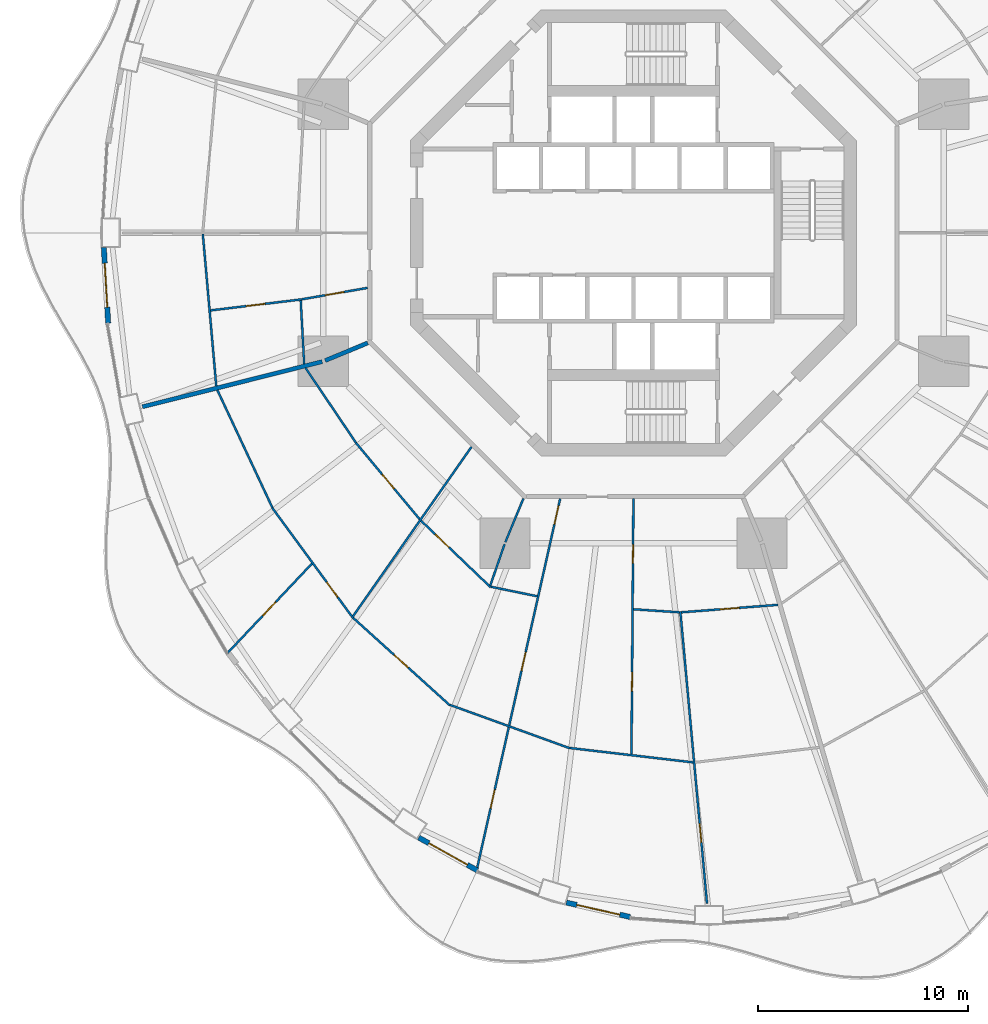
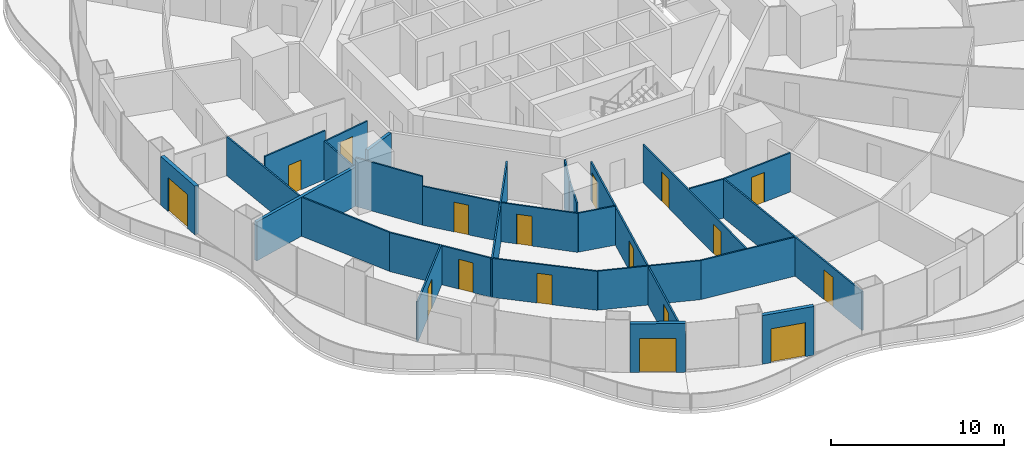
# One storey, part 14 of 23: 27 walls, 17 doors, 17 openings.
"""IFC4 building model written with IfcOpenShell, lengths in metres."""

from ifc_helpers import new_model, si_unit, direction, frame, frame_2d, origin, place, context, subcontext, project, spatial, rectangle, extrude, material, layer, layer_set, type_object, element, fill, save


model = new_model("IFC4")

# Units and contexts
model_context = context("Model", 3, precision=1e-05, world=origin(), true_north=direction((0.0, 1.0)))
body_context = subcontext(model_context, "Body", "Model", "MODEL_VIEW")
ifc_project = project(units=[si_unit("LENGTHUNIT", "METRE"), si_unit("AREAUNIT", "SQUARE_METRE"), si_unit("VOLUMEUNIT", "CUBIC_METRE"), si_unit("PLANEANGLEUNIT", "RADIAN"), si_unit("MASSUNIT", "GRAM", prefix="KILO")], contexts=[model_context])

# Site, building, storey
site_placement = place(None, origin())
site = spatial("IfcSite", under=ifc_project, at=site_placement, CompositionType="ELEMENT")
building_placement = place(site_placement, origin())
building = spatial("IfcBuilding", under=site, at=building_placement, Name="Nagisa Residences", CompositionType="ELEMENT")
storey_placement = place(building_placement, frame((0.0, 0.0, 56.60009765625)))
storey = spatial("IfcBuildingStorey", under=building, at=storey_placement, Name="L13", CompositionType="ELEMENT", Elevation=56.60009765625)

# Walls
ifc_material_1 = material(Name="Gypsum board on steel studs", Category="steel")
ifc_layer_1 = layer(ifc_material_1, 0.199951171875)
ifc_layer_set_1 = layer_set([ifc_layer_1], Name="Apartment compartment wall EI60 200")
wall_type_1 = type_object("IfcWallType", Name="Apartment compartment wall EI60 200", PredefinedType="PARTITIONING", material=ifc_layer_set_1)
wall_1_placement = place(storey_placement, frame((-12.6572265625, -5.24267578125, 0.0), z_axis=(0.0, 0.0, 1.0), x_axis=(-0.923885664896, -0.382668627144, 0.0)))
element("IfcWall", 1, at=wall_1_placement, inside=storey, type_object=wall_type_1, Name="wall:L13:u06", PredefinedType="PARTITIONING", context=body_context, shape_type="SweptSolid", body=[
    extrude(rectangle(XDim=2.200439453125, YDim=0.199951171875, at=frame_2d((1.10009765625, 0.0))), origin(), (0.0, 0.0, 1.0), 3.43994140625),
])
wall_2_placement = place(storey_placement, frame((-14.83056640625, -6.135009765625, 0.0), z_axis=(0.0, 0.0, 1.0), x_axis=(-0.969884949569, -0.243563512454, 0.0)))
element("IfcWall", 2, at=wall_2_placement, inside=storey, type_object=wall_type_1, Name="wall:L13:u07", PredefinedType="PARTITIONING", context=body_context, shape_type="SweptSolid", body=[
    extrude(rectangle(XDim=8.828857421875, YDim=0.199951171875, at=frame_2d((4.41455078125, 0.0))), origin(), (0.0, 0.0, 1.0), 2.755859375),
])
ifc_material_2 = material(Name="Gypsum board on steel studs", Category="steel")
ifc_layer_2 = layer(ifc_material_2, 0.10009765625)
ifc_layer_set_2 = layer_set([ifc_layer_2], Name="Apartment partition 100")
wall_type_2 = type_object("IfcWallType", Name="Apartment partition 100", PredefinedType="PARTITIONING", material=ifc_layer_set_2)
wall_3_placement = place(storey_placement, frame((-20.518310546875, -0.0498046875, 0.0), z_axis=(0.0, 0.0, 1.0), x_axis=(0.088143415068, -0.996107794558, 0.0)))
element("IfcWall", 3, at=wall_3_placement, inside=storey, type_object=wall_type_2, Name="wall:L13:u56", PredefinedType="PARTITIONING", context=body_context, shape_type="SweptSolid", body=[
    extrude(rectangle(XDim=7.279052734375, YDim=0.10009765625, at=frame_2d((3.6396484375, 0.0))), origin(), (0.0, 0.0, 1.0), 2.755859375),
])

# Wall, opening, door
wall_4_placement = place(storey_placement, frame((-12.663330078125, -2.619384765625, 0.0), z_axis=(0.0, 0.0, 1.0), x_axis=(-0.985220176102, -0.171292745325, 0.0)))
wall_4 = element("IfcWall", 4, at=wall_4_placement, inside=storey, type_object=wall_type_2, Name="wall:L13:u57", PredefinedType="PARTITIONING", context=body_context, shape_type="SweptSolid", body=[
    extrude(rectangle(XDim=3.191162109375, YDim=0.10009765625, at=frame_2d((1.595703125, 0.0))), origin(), (0.0, 0.0, 1.0), 2.68701171875),
])
opening_1_placement = place(wall_4_placement, frame((1.1455078125, 0.0, 0.0)))
opening_1 = element("IfcOpeningElement", 5, at=opening_1_placement, cuts=wall_4, Name="Opening L13-U10", PredefinedType="OPENING", context=body_context, shape_type="SweptSolid", body=[
    extrude(rectangle(XDim=0.89990234375, YDim=2.10009765625, at=frame_2d((0.449951171875, 1.050048828125))), frame((0.0, 0.06005859375, 0.0), z_axis=(0.0, -1.0, 0.0), x_axis=(1.0, 0.0, 0.0)), (0.0, 0.0, 1.0), 0.1201171875),
])
ifc_material_3 = material(Name="Timber door set", Category="wood")
door_type_1 = type_object("IfcDoorType", Name="Apartment door 900x2100", OperationType="NOTDEFINED", PredefinedType="DOOR", material=ifc_material_3)
door_1_placement = place(opening_1_placement, origin())
door_1 = element("IfcDoor", 6, at=door_1_placement, inside=storey, type_object=door_type_1, Name="Door to family bathroom, Apartment 13B", OperationType="SINGLE_SWING_RIGHT", OverallHeight=2.10009765625, OverallWidth=0.89990234375, PredefinedType="DOOR", context=body_context, shape_type="SweptSolid", body=[
    extrude(rectangle(XDim=0.89990234375, YDim=2.10009765625, at=frame_2d((0.449951171875, 1.050048828125))), frame((0.0, 0.02490234375, 0.0), z_axis=(0.0, -1.0, 0.0), x_axis=(1.0, 0.0, 0.0)), (0.0, 0.0, 1.0), 0.050048828125),
])
fill(opening_1, door_1)

wall_5_placement = place(storey_placement, frame((-15.806884765625, -3.16845703125, 0.0), z_axis=(0.0, 0.0, 1.0), x_axis=(-0.992741666002, -0.120266306938, 0.0)))
wall_5 = element("IfcWall", 7, at=wall_5_placement, inside=storey, type_object=wall_type_2, Name="wall:L13:u58", PredefinedType="PARTITIONING", context=body_context, shape_type="SweptSolid", body=[
    extrude(rectangle(XDim=4.37060546875, YDim=0.10009765625, at=frame_2d((2.185302734375, 0.0))), origin(), (0.0, 0.0, 1.0), 3.43994140625),
])
opening_2_placement = place(wall_5_placement, frame((1.76025390625, 0.0, 0.0)))
opening_2 = element("IfcOpeningElement", 8, at=opening_2_placement, cuts=wall_5, Name="Opening L13-U12", PredefinedType="OPENING", context=body_context, shape_type="SweptSolid", body=[
    extrude(rectangle(XDim=0.89990234375, YDim=2.10009765625, at=frame_2d((0.449951171875, 1.050048828125))), frame((0.0, 0.06005859375, 0.0), z_axis=(0.0, -1.0, 0.0), x_axis=(1.0, 0.0, 0.0)), (0.0, 0.0, 1.0), 0.1201171875),
])
door_2_placement = place(opening_2_placement, origin())
door_2 = element("IfcDoor", 9, at=door_2_placement, inside=storey, type_object=door_type_1, Name="Door to family bathroom, Apartment 13B", OperationType="SINGLE_SWING_RIGHT", OverallHeight=2.10009765625, OverallWidth=0.89990234375, PredefinedType="DOOR", context=body_context, shape_type="SweptSolid", body=[
    extrude(rectangle(XDim=0.89990234375, YDim=2.10009765625, at=frame_2d((0.449951171875, 1.050048828125))), frame((0.0, 0.02490234375, 0.0), z_axis=(0.0, -1.0, 0.0), x_axis=(1.0, 0.0, 0.0)), (0.0, 0.0, 1.0), 0.050048828125),
])
fill(opening_2, door_2)

# Walls
wall_6_placement = place(storey_placement, frame((-15.853759765625, -3.224609375, 0.0), z_axis=(0.0, 0.0, 1.0), x_axis=(0.054644199943, -0.998505889523, 0.0)))
element("IfcWall", 10, at=wall_6_placement, inside=storey, type_object=wall_type_2, Name="wall:L13:u59", PredefinedType="PARTITIONING", context=body_context, shape_type="SweptSolid", body=[
    extrude(rectangle(XDim=3.029296875, YDim=0.10009765625, at=frame_2d((1.5146484375, 0.0))), origin(), (0.0, 0.0, 1.0), 2.755859375),
])
wall_7_placement = place(storey_placement, frame((-15.626953125, -6.43212890625, 0.0), z_axis=(0.0, 0.0, 1.0), x_axis=(0.559112679527, -0.829091678641, 0.0)))
element("IfcWall", 11, at=wall_7_placement, inside=storey, type_object=wall_type_2, Name="wall:L13:u60", PredefinedType="PARTITIONING", context=body_context, shape_type="SweptSolid", body=[
    extrude(rectangle(XDim=4.30810546875, YDim=0.10009765625, at=frame_2d((2.154052734375, 0.0))), origin(), (0.0, 0.0, 1.0), 3.43994140625),
])
wall_8_placement = place(storey_placement, frame((-19.82568359375, -7.49072265625, 0.0), z_axis=(0.0, 0.0, 1.0), x_axis=(0.423926333401, -0.905696673202, 0.0)))
element("IfcWall", 12, at=wall_8_placement, inside=storey, type_object=wall_type_2, Name="wall:L13:u61", PredefinedType="PARTITIONING", context=body_context, shape_type="SweptSolid", body=[
    extrude(rectangle(XDim=6.1875, YDim=0.10009765625, at=frame_2d((3.09375, 0.0))), origin(), (0.0, 0.0, 1.0), 2.755859375),
])

# Wall, opening, door
wall_9_placement = place(storey_placement, frame((-13.222412109375, -10.0068359375, 0.0), z_axis=(0.0, 0.0, 1.0), x_axis=(0.640807748916, -0.767701393075, 0.0)))
wall_9 = element("IfcWall", 13, at=wall_9_placement, inside=storey, type_object=wall_type_2, Name="wall:L13:u62", PredefinedType="PARTITIONING", context=body_context, shape_type="SweptSolid", body=[
    extrude(rectangle(XDim=4.73681640625, YDim=0.10009765625, at=frame_2d((2.368408203125, 0.0))), origin(), (0.0, 0.0, 1.0), 2.755859375),
])
opening_3_placement = place(wall_9_placement, frame((1.943359375, 0.0, 0.0)))
opening_3 = element("IfcOpeningElement", 14, at=opening_3_placement, cuts=wall_9, Name="Opening L13-U27", PredefinedType="OPENING", context=body_context, shape_type="SweptSolid", body=[
    extrude(rectangle(XDim=0.89990234375, YDim=2.10009765625, at=frame_2d((0.449951171875, 1.050048828125))), frame((0.0, 0.06005859375, 0.0), z_axis=(0.0, -1.0, 0.0), x_axis=(1.0, 0.0, 0.0)), (0.0, 0.0, 1.0), 0.1201171875),
])
door_3_placement = place(opening_3_placement, origin())
door_3 = element("IfcDoor", 15, at=door_3_placement, inside=storey, type_object=door_type_1, Name="Door to laundry, Apartment 13C", OperationType="SINGLE_SWING_LEFT", OverallHeight=2.10009765625, OverallWidth=0.89990234375, PredefinedType="DOOR", context=body_context, shape_type="SweptSolid", body=[
    extrude(rectangle(XDim=0.89990234375, YDim=2.10009765625, at=frame_2d((0.449951171875, 1.050048828125))), frame((0.0, 0.02490234375, 0.0), z_axis=(0.0, -1.0, 0.0), x_axis=(1.0, 0.0, 0.0)), (0.0, 0.0, 1.0), 0.050048828125),
])
fill(opening_3, door_3)

wall_10_placement = place(storey_placement, frame((-17.2109375, -13.099609375, 0.0), z_axis=(0.0, 0.0, 1.0), x_axis=(0.591206785834, -0.806520016109, 0.0)))
wall_10 = element("IfcWall", 16, at=wall_10_placement, inside=storey, type_object=wall_type_2, Name="wall:L13:u63", PredefinedType="PARTITIONING", context=body_context, shape_type="SweptSolid", body=[
    extrude(rectangle(XDim=6.409912109375, YDim=0.10009765625, at=frame_2d((3.205078125, 0.0))), origin(), (0.0, 0.0, 1.0), 2.755859375),
])
opening_4_placement = place(wall_10_placement, frame((4.382568359375, 0.0, 0.0)))
opening_4 = element("IfcOpeningElement", 17, at=opening_4_placement, cuts=wall_10, Name="Opening L13-U25", PredefinedType="OPENING", context=body_context, shape_type="SweptSolid", body=[
    extrude(rectangle(XDim=0.89990234375, YDim=2.10009765625, at=frame_2d((0.449951171875, 1.050048828125))), frame((0.0, 0.06005859375, 0.0), z_axis=(0.0, -1.0, 0.0), x_axis=(1.0, 0.0, 0.0)), (0.0, 0.0, 1.0), 0.1201171875),
])
door_4_placement = place(opening_4_placement, origin())
door_4 = element("IfcDoor", 18, at=door_4_placement, inside=storey, type_object=door_type_1, Name="Door to dining room, Apartment 13C", OperationType="SINGLE_SWING_LEFT", OverallHeight=2.10009765625, OverallWidth=0.89990234375, PredefinedType="DOOR", context=body_context, shape_type="SweptSolid", body=[
    extrude(rectangle(XDim=0.89990234375, YDim=2.10009765625, at=frame_2d((0.449951171875, 1.050048828125))), frame((0.0, 0.02490234375, 0.0), z_axis=(0.0, -1.0, 0.0), x_axis=(1.0, 0.0, 0.0)), (0.0, 0.0, 1.0), 0.050048828125),
])
fill(opening_4, door_4)

wall_11_placement = place(storey_placement, frame((-15.321044921875, -15.76123046875, 0.0), z_axis=(0.0, 0.0, 1.0), x_axis=(-0.686519245775, -0.727111631856, 0.0)))
wall_11 = element("IfcWall", 19, at=wall_11_placement, inside=storey, type_object=wall_type_2, Name="wall:L13:u64", PredefinedType="PARTITIONING", context=body_context, shape_type="SweptSolid", body=[
    extrude(rectangle(XDim=5.912109375, YDim=0.10009765625, at=frame_2d((2.9560546875, 0.0))), origin(), (0.0, 0.0, 1.0), 2.8369140625),
])
opening_5_placement = place(wall_11_placement, frame((2.506103515625, 0.0, 0.0)))
opening_5 = element("IfcOpeningElement", 20, at=opening_5_placement, cuts=wall_11, Name="Opening L13-U26", PredefinedType="OPENING", context=body_context, shape_type="SweptSolid", body=[
    extrude(rectangle(XDim=0.89990234375, YDim=2.10009765625, at=frame_2d((0.449951171875, 1.050048828125))), frame((0.0, 0.06005859375, 0.0), z_axis=(0.0, -1.0, 0.0), x_axis=(1.0, 0.0, 0.0)), (0.0, 0.0, 1.0), 0.1201171875),
])
door_5_placement = place(opening_5_placement, frame((0.89990234375, 0.0, 0.0), x_axis=(-1.0, 0.0, 0.0)))
door_5 = element("IfcDoor", 21, at=door_5_placement, inside=storey, type_object=door_type_1, Name="Door to master bedroom, Apartment 13C", OperationType="SINGLE_SWING_LEFT", OverallHeight=2.10009765625, OverallWidth=0.89990234375, PredefinedType="DOOR", context=body_context, shape_type="SweptSolid", body=[
    extrude(rectangle(XDim=0.89990234375, YDim=2.10009765625, at=frame_2d((0.449951171875, 1.050048828125))), frame((0.0, 0.02490234375, 0.0), z_axis=(0.0, -1.0, 0.0), x_axis=(1.0, 0.0, 0.0)), (0.0, 0.0, 1.0), 0.050048828125),
])
fill(opening_5, door_5)

# Wall
wall_12_placement = place(storey_placement, frame((-7.71533203125, -10.193359375, 0.0), z_axis=(0.0, 0.0, 1.0), x_axis=(-0.573126502256, -0.819466907454, 0.0)))
element("IfcWall", 22, at=wall_12_placement, inside=storey, type_object=wall_type_2, Name="wall:L13:u65", PredefinedType="PARTITIONING", context=body_context, shape_type="SweptSolid", body=[
    extrude(rectangle(XDim=9.954345703125, YDim=0.10009765625, at=frame_2d((4.97705078125, 0.0))), origin(), (0.0, 0.0, 1.0), 2.68701171875),
])

# Wall, opening, door
wall_13_placement = place(storey_placement, frame((-10.118896484375, -13.716064453125, 0.0), z_axis=(0.0, 0.0, 1.0), x_axis=(0.722763212502, -0.69109575216, 0.0)))
wall_13 = element("IfcWall", 23, at=wall_13_placement, inside=storey, type_object=wall_type_2, Name="wall:L13:u66", PredefinedType="PARTITIONING", context=body_context, shape_type="SweptSolid", body=[
    extrude(rectangle(XDim=4.587158203125, YDim=0.10009765625, at=frame_2d((2.29345703125, 0.0))), origin(), (0.0, 0.0, 1.0), 2.755859375),
])
opening_6_placement = place(wall_13_placement, frame((0.9375, 0.0, 0.0)))
opening_6 = element("IfcOpeningElement", 24, at=opening_6_placement, cuts=wall_13, Name="Opening L13-U24", PredefinedType="OPENING", context=body_context, shape_type="SweptSolid", body=[
    extrude(rectangle(XDim=0.89990234375, YDim=2.10009765625, at=frame_2d((0.449951171875, 1.050048828125))), frame((0.0, 0.06005859375, 0.0), z_axis=(0.0, -1.0, 0.0), x_axis=(1.0, 0.0, 0.0)), (0.0, 0.0, 1.0), 0.1201171875),
])
door_6_placement = place(opening_6_placement, origin())
door_6 = element("IfcDoor", 25, at=door_6_placement, inside=storey, type_object=door_type_1, Name="Door to store, Apartment 13C", OperationType="SINGLE_SWING_RIGHT", OverallHeight=2.10009765625, OverallWidth=0.89990234375, PredefinedType="DOOR", context=body_context, shape_type="SweptSolid", body=[
    extrude(rectangle(XDim=0.89990234375, YDim=2.10009765625, at=frame_2d((0.449951171875, 1.050048828125))), frame((0.0, 0.02490234375, 0.0), z_axis=(0.0, -1.0, 0.0), x_axis=(1.0, 0.0, 0.0)), (0.0, 0.0, 1.0), 0.050048828125),
])
fill(opening_6, door_6)

wall_14_placement = place(storey_placement, frame((-13.354736328125, -18.34326171875, 0.0), z_axis=(0.0, 0.0, 1.0), x_axis=(0.741720189244, -0.670709445936, 0.0)))
wall_14 = element("IfcWall", 26, at=wall_14_placement, inside=storey, type_object=wall_type_2, Name="wall:L13:u67", PredefinedType="PARTITIONING", context=body_context, shape_type="SweptSolid", body=[
    extrude(rectangle(XDim=6.209228515625, YDim=0.10009765625, at=frame_2d((3.1044921875, 0.0))), origin(), (0.0, 0.0, 1.0), 2.755859375),
])
opening_7_placement = place(wall_14_placement, frame((2.629638671875, 0.0, 0.0)))
opening_7 = element("IfcOpeningElement", 27, at=opening_7_placement, cuts=wall_14, Name="Opening L13-U21", PredefinedType="OPENING", context=body_context, shape_type="SweptSolid", body=[
    extrude(rectangle(XDim=0.89990234375, YDim=2.10009765625, at=frame_2d((0.449951171875, 1.050048828125))), frame((0.0, 0.06005859375, 0.0), z_axis=(0.0, -1.0, 0.0), x_axis=(1.0, 0.0, 0.0)), (0.0, 0.0, 1.0), 0.1201171875),
])
door_7_placement = place(opening_7_placement, frame((0.89990234375, 0.0, 0.0), x_axis=(-1.0, 0.0, 0.0)))
door_7 = element("IfcDoor", 28, at=door_7_placement, inside=storey, type_object=door_type_1, Name="Door to living room, Apartment 13C", OperationType="SINGLE_SWING_RIGHT", OverallHeight=2.10009765625, OverallWidth=0.89990234375, PredefinedType="DOOR", context=body_context, shape_type="SweptSolid", body=[
    extrude(rectangle(XDim=0.89990234375, YDim=2.10009765625, at=frame_2d((0.449951171875, 1.050048828125))), frame((0.0, 0.02490234375, 0.0), z_axis=(0.0, -1.0, 0.0), x_axis=(1.0, 0.0, 0.0)), (0.0, 0.0, 1.0), 0.050048828125),
])
fill(opening_7, door_7)

# Walls
wall_15_placement = place(storey_placement, frame((-5.24267578125, -12.6572265625, 0.0), z_axis=(0.0, 0.0, 1.0), x_axis=(-0.382719158442, -0.923864733477, 0.0)))
element("IfcWall", 29, at=wall_15_placement, inside=storey, type_object=wall_type_2, Name="wall:L13:u68", PredefinedType="PARTITIONING", context=body_context, shape_type="SweptSolid", body=[
    extrude(rectangle(XDim=2.25, YDim=0.10009765625, at=frame_2d((1.125, 0.0))), origin(), (0.0, 0.0, 1.0), 3.43994140625),
])
wall_16_placement = place(storey_placement, frame((-6.139404296875, -14.829833984375, 0.0), z_axis=(0.0, 0.0, 1.0), x_axis=(-0.327246993321, -0.944938836837, 0.0)))
element("IfcWall", 30, at=wall_16_placement, inside=storey, type_object=wall_type_2, Name="wall:L13:u69", PredefinedType="PARTITIONING", context=body_context, shape_type="SweptSolid", body=[
    extrude(rectangle(XDim=2.089599609375, YDim=0.10009765625, at=frame_2d((1.044921875, 0.0))), origin(), (0.0, 0.0, 1.0), 3.43994140625),
])
wall_17_placement = place(storey_placement, frame((-6.79052734375, -16.861572265625, 0.0), z_axis=(0.0, 0.0, 1.0), x_axis=(0.979581941859, -0.201045316246, 0.0)))
element("IfcWall", 31, at=wall_17_placement, inside=storey, type_object=wall_type_2, Name="wall:L13:u70", PredefinedType="PARTITIONING", context=body_context, shape_type="SweptSolid", body=[
    extrude(rectangle(XDim=2.25634765625, YDim=0.10009765625, at=frame_2d((1.128173828125, 0.0))), origin(), (0.0, 0.0, 1.0), 2.755859375),
])
wall_18_placement = place(storey_placement, frame((-8.7392578125, -22.4912109375, 0.0), z_axis=(0.0, 0.0, 1.0), x_axis=(0.940401691072, -0.340065669288, 0.0)))
element("IfcWall", 32, at=wall_18_placement, inside=storey, type_object=wall_type_2, Name="wall:L13:u71", PredefinedType="PARTITIONING", context=body_context, shape_type="SweptSolid", body=[
    extrude(rectangle(XDim=6.067138671875, YDim=0.10009765625, at=frame_2d((3.03369140625, 0.0))), origin(), (0.0, 0.0, 1.0), 2.755859375),
])

# Wall, openings, doors
wall_19_placement = place(storey_placement, frame((-3.49169921875, -12.662353515625, 0.0), z_axis=(0.0, 0.0, 1.0), x_axis=(-0.219268088006, -0.975664648115, 0.0)))
wall_19 = element("IfcWall", 33, at=wall_19_placement, inside=storey, type_object=wall_type_2, Name="wall:L13:u72", PredefinedType="PARTITIONING", context=body_context, shape_type="SweptSolid", body=[
    extrude(rectangle(XDim=18.230224609375, YDim=0.10009765625, at=frame_2d((9.115234375, 0.0))), origin(), (0.0, 0.0, 1.0), 2.68701171875),
])
opening_8_placement = place(wall_19_placement, frame((0.35009765625, 0.0, 0.0)))
opening_8 = element("IfcOpeningElement", 34, at=opening_8_placement, cuts=wall_19, Name="Opening L13-U16", PredefinedType="OPENING", context=body_context, shape_type="SweptSolid", body=[
    extrude(rectangle(XDim=0.89990234375, YDim=2.10009765625, at=frame_2d((0.449951171875, 1.050048828125))), frame((0.0, 0.06005859375, 0.0), z_axis=(0.0, -1.0, 0.0), x_axis=(1.0, 0.0, 0.0)), (0.0, 0.0, 1.0), 0.1201171875),
])
opening_9_placement = place(wall_19_placement, frame((7.49658203125, 0.0, 0.0)))
opening_9 = element("IfcOpeningElement", 35, at=opening_9_placement, cuts=wall_19, Name="Opening L13-U18", PredefinedType="OPENING", context=body_context, shape_type="SweptSolid", body=[
    extrude(rectangle(XDim=0.89990234375, YDim=2.10009765625, at=frame_2d((0.449951171875, 1.050048828125))), frame((0.0, 0.06005859375, 0.0), z_axis=(0.0, -1.0, 0.0), x_axis=(1.0, 0.0, 0.0)), (0.0, 0.0, 1.0), 0.1201171875),
])
opening_10_placement = place(wall_19_placement, frame((14.22265625, 0.0, 0.0)))
opening_10 = element("IfcOpeningElement", 36, at=opening_10_placement, cuts=wall_19, Name="Opening L13-U22", PredefinedType="OPENING", context=body_context, shape_type="SweptSolid", body=[
    extrude(rectangle(XDim=0.89990234375, YDim=2.10009765625, at=frame_2d((0.449951171875, 1.050048828125))), frame((0.0, 0.06005859375, 0.0), z_axis=(0.0, -1.0, 0.0), x_axis=(1.0, 0.0, 0.0)), (0.0, 0.0, 1.0), 0.1201171875),
])
door_8_placement = place(opening_8_placement, frame((0.89990234375, 0.0, 0.0), x_axis=(-1.0, 0.0, 0.0)))
door_8 = element("IfcDoor", 37, at=door_8_placement, inside=storey, type_object=door_type_1, Name="Door to family bathroom, Apartment 13C", OperationType="SINGLE_SWING_LEFT", OverallHeight=2.10009765625, OverallWidth=0.89990234375, PredefinedType="DOOR", context=body_context, shape_type="SweptSolid", body=[
    extrude(rectangle(XDim=0.89990234375, YDim=2.10009765625, at=frame_2d((0.449951171875, 1.050048828125))), frame((0.0, 0.02490234375, 0.0), z_axis=(0.0, -1.0, 0.0), x_axis=(1.0, 0.0, 0.0)), (0.0, 0.0, 1.0), 0.050048828125),
])
fill(opening_8, door_8)
door_9_placement = place(opening_9_placement, frame((0.89990234375, 0.0, 0.0), x_axis=(-1.0, 0.0, 0.0)))
door_9 = element("IfcDoor", 38, at=door_9_placement, inside=storey, type_object=door_type_1, Name="Door to family room, Apartment 13C", OperationType="SINGLE_SWING_LEFT", OverallHeight=2.10009765625, OverallWidth=0.89990234375, PredefinedType="DOOR", context=body_context, shape_type="SweptSolid", body=[
    extrude(rectangle(XDim=0.89990234375, YDim=2.10009765625, at=frame_2d((0.449951171875, 1.050048828125))), frame((0.0, 0.02490234375, 0.0), z_axis=(0.0, -1.0, 0.0), x_axis=(1.0, 0.0, 0.0)), (0.0, 0.0, 1.0), 0.050048828125),
])
fill(opening_9, door_9)
door_10_placement = place(opening_10_placement, origin())
door_10 = element("IfcDoor", 39, at=door_10_placement, inside=storey, type_object=door_type_1, Name="Door to dining room, Apartment 13C", OperationType="SINGLE_SWING_RIGHT", OverallHeight=2.10009765625, OverallWidth=0.89990234375, PredefinedType="DOOR", context=body_context, shape_type="SweptSolid", body=[
    extrude(rectangle(XDim=0.89990234375, YDim=2.10009765625, at=frame_2d((0.449951171875, 1.050048828125))), frame((0.0, 0.02490234375, 0.0), z_axis=(0.0, -1.0, 0.0), x_axis=(1.0, 0.0, 0.0)), (0.0, 0.0, 1.0), 0.050048828125),
])
fill(opening_10, door_10)

# Wall
wall_20_placement = place(storey_placement, frame((-3.03125, -24.543212890625, 0.0), z_axis=(0.0, 0.0, 1.0), x_axis=(0.993255612046, -0.115945198862, 0.0)))
element("IfcWall", 40, at=wall_20_placement, inside=storey, type_object=wall_type_2, Name="wall:L13:u73", PredefinedType="PARTITIONING", context=body_context, shape_type="SweptSolid", body=[
    extrude(rectangle(XDim=5.91259765625, YDim=0.10009765625, at=frame_2d((2.956298828125, 0.0))), origin(), (0.0, 0.0, 1.0), 2.755859375),
])

# Wall, openings, doors
wall_21_placement = place(storey_placement, frame((-0.000732421875, -12.664794921875, 0.0), z_axis=(0.0, 0.0, 1.0), x_axis=(-0.007702417287, -0.999970335944, 0.0)))
wall_21 = element("IfcWall", 41, at=wall_21_placement, inside=storey, type_object=wall_type_2, Name="wall:L13:u74", PredefinedType="PARTITIONING", context=body_context, shape_type="SweptSolid", body=[
    extrude(rectangle(XDim=12.17138671875, YDim=0.10009765625, at=frame_2d((6.085693359375, 0.0))), origin(), (0.0, 0.0, 1.0), 2.68701171875),
])
opening_11_placement = place(wall_21_placement, frame((2.182861328125, 0.0, 0.0)))
opening_11 = element("IfcOpeningElement", 42, at=opening_11_placement, cuts=wall_21, Name="Opening L13-U17", PredefinedType="OPENING", context=body_context, shape_type="SweptSolid", body=[
    extrude(rectangle(XDim=0.89990234375, YDim=2.10009765625, at=frame_2d((0.449951171875, 1.050048828125))), frame((0.0, 0.06005859375, 0.0), z_axis=(0.0, -1.0, 0.0), x_axis=(1.0, 0.0, 0.0)), (0.0, 0.0, 1.0), 0.1201171875),
])
opening_12_placement = place(wall_21_placement, frame((8.268798828125, 0.0, 0.0)))
opening_12 = element("IfcOpeningElement", 43, at=opening_12_placement, cuts=wall_21, Name="Opening L13-U19", PredefinedType="OPENING", context=body_context, shape_type="SweptSolid", body=[
    extrude(rectangle(XDim=0.89990234375, YDim=2.10009765625, at=frame_2d((0.449951171875, 1.050048828125))), frame((0.0, 0.06005859375, 0.0), z_axis=(0.0, -1.0, 0.0), x_axis=(1.0, 0.0, 0.0)), (0.0, 0.0, 1.0), 0.1201171875),
])
door_11_placement = place(opening_11_placement, origin())
door_11 = element("IfcDoor", 44, at=door_11_placement, inside=storey, type_object=door_type_1, Name="Door to store, Apartment 13C", OperationType="SINGLE_SWING_LEFT", OverallHeight=2.10009765625, OverallWidth=0.89990234375, PredefinedType="DOOR", context=body_context, shape_type="SweptSolid", body=[
    extrude(rectangle(XDim=0.89990234375, YDim=2.10009765625, at=frame_2d((0.449951171875, 1.050048828125))), frame((0.0, 0.02490234375, 0.0), z_axis=(0.0, -1.0, 0.0), x_axis=(1.0, 0.0, 0.0)), (0.0, 0.0, 1.0), 0.050048828125),
])
fill(opening_11, door_11)
door_12_placement = place(opening_12_placement, origin())
door_12 = element("IfcDoor", 45, at=door_12_placement, inside=storey, type_object=door_type_1, Name="Door to family bathroom, Apartment 13C", OperationType="SINGLE_SWING_LEFT", OverallHeight=2.10009765625, OverallWidth=0.89990234375, PredefinedType="DOOR", context=body_context, shape_type="SweptSolid", body=[
    extrude(rectangle(XDim=0.89990234375, YDim=2.10009765625, at=frame_2d((0.449951171875, 1.050048828125))), frame((0.0, 0.02490234375, 0.0), z_axis=(0.0, -1.0, 0.0), x_axis=(1.0, 0.0, 0.0)), (0.0, 0.0, 1.0), 0.050048828125),
])
fill(opening_12, door_12)

# Wall
wall_22_placement = place(storey_placement, frame((0.008544921875, -17.933837890625, 0.0), z_axis=(0.0, 0.0, 1.0), x_axis=(0.997794542617, -0.066378089183, 0.0)))
element("IfcWall", 46, at=wall_22_placement, inside=storey, type_object=wall_type_2, Name="wall:L13:u75", PredefinedType="PARTITIONING", context=body_context, shape_type="SweptSolid", body=[
    extrude(rectangle(XDim=2.184814453125, YDim=0.10009765625, at=frame_2d((1.09228515625, 0.0))), origin(), (0.0, 0.0, 1.0), 2.755859375),
])

# Wall, opening, door
wall_23_placement = place(storey_placement, frame((2.23388671875, -18.032470703125, 0.0), z_axis=(0.0, 0.0, 1.0), x_axis=(0.090891502968, -0.995860800859, 0.0)))
wall_23 = element("IfcWall", 47, at=wall_23_placement, inside=storey, type_object=wall_type_2, Name="wall:L13:u76", PredefinedType="PARTITIONING", context=body_context, shape_type="SweptSolid", body=[
    extrude(rectangle(XDim=13.983642578125, YDim=0.10009765625, at=frame_2d((6.99169921875, 0.0))), origin(), (0.0, 0.0, 1.0), 2.755859375),
])
opening_13_placement = place(wall_23_placement, frame((10.157958984375, 0.0, 0.0)))
opening_13 = element("IfcOpeningElement", 48, at=opening_13_placement, cuts=wall_23, Name="Opening L13-U23", PredefinedType="OPENING", context=body_context, shape_type="SweptSolid", body=[
    extrude(rectangle(XDim=0.89990234375, YDim=2.10009765625, at=frame_2d((0.449951171875, 1.050048828125))), frame((0.0, 0.06005859375, 0.0), z_axis=(0.0, -1.0, 0.0), x_axis=(1.0, 0.0, 0.0)), (0.0, 0.0, 1.0), 0.1201171875),
])
door_13_placement = place(opening_13_placement, origin())
door_13 = element("IfcDoor", 49, at=door_13_placement, inside=storey, type_object=door_type_1, Name="Door to master bedroom, Apartment 13C", OperationType="SINGLE_SWING_LEFT", OverallHeight=2.10009765625, OverallWidth=0.89990234375, PredefinedType="DOOR", context=body_context, shape_type="SweptSolid", body=[
    extrude(rectangle(XDim=0.89990234375, YDim=2.10009765625, at=frame_2d((0.449951171875, 1.050048828125))), frame((0.0, 0.02490234375, 0.0), z_axis=(0.0, -1.0, 0.0), x_axis=(1.0, 0.0, 0.0)), (0.0, 0.0, 1.0), 0.050048828125),
])
fill(opening_13, door_13)

wall_24_placement = place(storey_placement, frame((2.288330078125, -18.078369140625, 0.0), z_axis=(0.0, 0.0, 1.0), x_axis=(0.99701850123, 0.077162868047, 0.0)))
wall_24 = element("IfcWall", 50, at=wall_24_placement, inside=storey, type_object=wall_type_2, Name="wall:L13:u77", PredefinedType="PARTITIONING", context=body_context, shape_type="SweptSolid", body=[
    extrude(rectangle(XDim=4.603515625, YDim=0.10009765625, at=frame_2d((2.3017578125, 0.0))), origin(), (0.0, 0.0, 1.0), 2.755859375),
])
opening_14_placement = place(wall_24_placement, frame((1.851806640625, 0.0, 0.0)))
opening_14 = element("IfcOpeningElement", 51, at=opening_14_placement, cuts=wall_24, Name="Opening L13-U20", PredefinedType="OPENING", context=body_context, shape_type="SweptSolid", body=[
    extrude(rectangle(XDim=0.89990234375, YDim=2.10009765625, at=frame_2d((0.449951171875, 1.050048828125))), frame((0.0, 0.06005859375, 0.0), z_axis=(0.0, -1.0, 0.0), x_axis=(1.0, 0.0, 0.0)), (0.0, 0.0, 1.0), 0.1201171875),
])
door_14_placement = place(opening_14_placement, frame((0.89990234375, 0.0, 0.0), x_axis=(-1.0, 0.0, 0.0)))
door_14 = element("IfcDoor", 52, at=door_14_placement, inside=storey, type_object=door_type_1, Name="Door to kitchen, Apartment 13C", OperationType="SINGLE_SWING_LEFT", OverallHeight=2.10009765625, OverallWidth=0.89990234375, PredefinedType="DOOR", context=body_context, shape_type="SweptSolid", body=[
    extrude(rectangle(XDim=0.89990234375, YDim=2.10009765625, at=frame_2d((0.449951171875, 1.050048828125))), frame((0.0, 0.02490234375, 0.0), z_axis=(0.0, -1.0, 0.0), x_axis=(1.0, 0.0, 0.0)), (0.0, 0.0, 1.0), 0.050048828125),
])
fill(opening_14, door_14)

ifc_material_4 = material(Name="Precast concrete C40/50", Category="concrete")
ifc_layer_3 = layer(ifc_material_4, 0.25)
ifc_layer_set_3 = layer_set([ifc_layer_3], Name="BALCONY DOOR WALL 250")
wall_type_3 = type_object("IfcWallType", Name="BALCONY DOOR WALL 250", PredefinedType="SOLIDWALL", material=ifc_layer_set_3)
wall_25_placement = place(storey_placement, frame((-25.027099609375, -4.30029296875, 0.0), z_axis=(0.0, 0.0, 1.0), x_axis=(-0.057478727308, 0.998346731305, 0.0)))
wall_25 = element("IfcWall", 53, at=wall_25_placement, inside=storey, type_object=wall_type_3, Name="wall:L13:bay24", PredefinedType="SOLIDWALL", context=body_context, shape_type="SweptSolid", body=[
    extrude(rectangle(XDim=3.614501953125, YDim=0.25, at=frame_2d((1.80712890625, 0.0))), origin(), (0.0, 0.0, 1.0), 3.43994140625),
])
opening_15_placement = place(wall_25_placement, frame((0.75732421875, 0.0, 0.0)))
opening_15 = element("IfcOpeningElement", 54, at=opening_15_placement, cuts=wall_25, Name="Opening BD-L13-09", PredefinedType="OPENING", context=body_context, shape_type="SweptSolid", body=[
    extrude(rectangle(XDim=2.10009765625, YDim=2.39990234375, at=frame_2d((1.050048828125, 1.199951171875))), frame((0.0, 0.135009765625, 0.0), z_axis=(0.0, -1.0, 0.0), x_axis=(1.0, 0.0, 0.0)), (0.0, 0.0, 1.0), 0.27001953125),
])
ifc_material_5 = material(Name="Aluminium and clear glass", Category="aluminium")
door_type_2 = type_object("IfcDoorType", Name="BALCONY SLIDING DOOR 2100x2400", OperationType="SLIDING_TO_LEFT", PredefinedType="DOOR", material=ifc_material_5)
door_15_placement = place(opening_15_placement, origin())
door_15 = element("IfcDoor", 55, at=door_15_placement, inside=storey, type_object=door_type_2, Name="door:L13:bay24", OperationType="SLIDING_TO_LEFT", OverallHeight=2.39990234375, OverallWidth=2.10009765625, PredefinedType="DOOR", context=body_context, shape_type="SweptSolid", body=[
    extrude(rectangle(XDim=2.10009765625, YDim=2.39990234375, at=frame_2d((1.050048828125, 1.199951171875))), frame((0.0, 0.02490234375, 0.0), z_axis=(0.0, -1.0, 0.0), x_axis=(1.0, 0.0, 0.0)), (0.0, 0.0, 1.0), 0.050048828125),
])
fill(opening_15, door_15)

wall_26_placement = place(storey_placement, frame((-7.436767578125, -30.37890625, 0.0), z_axis=(0.0, 0.0, 1.0), x_axis=(-0.872084295691, 0.489355679653, 0.0)))
wall_26 = element("IfcWall", 56, at=wall_26_placement, inside=storey, type_object=wall_type_3, Name="wall:L13:bay32", PredefinedType="SOLIDWALL", context=body_context, shape_type="SweptSolid", body=[
    extrude(rectangle(XDim=3.200927734375, YDim=0.25, at=frame_2d((1.6005859375, 0.0))), origin(), (0.0, 0.0, 1.0), 3.43994140625),
])
opening_16_placement = place(wall_26_placement, frame((0.550537109375, 0.0, 0.0)))
opening_16 = element("IfcOpeningElement", 57, at=opening_16_placement, cuts=wall_26, Name="Opening BD-L13-11", PredefinedType="OPENING", context=body_context, shape_type="SweptSolid", body=[
    extrude(rectangle(XDim=2.10009765625, YDim=2.39990234375, at=frame_2d((1.050048828125, 1.199951171875))), frame((0.0, 0.135009765625, 0.0), z_axis=(0.0, -1.0, 0.0), x_axis=(1.0, 0.0, 0.0)), (0.0, 0.0, 1.0), 0.27001953125),
])
door_16_placement = place(opening_16_placement, origin())
door_16 = element("IfcDoor", 58, at=door_16_placement, inside=storey, type_object=door_type_2, Name="door:L13:bay32", OperationType="SLIDING_TO_LEFT", OverallHeight=2.39990234375, OverallWidth=2.10009765625, PredefinedType="DOOR", context=body_context, shape_type="SweptSolid", body=[
    extrude(rectangle(XDim=2.10009765625, YDim=2.39990234375, at=frame_2d((1.050048828125, 1.199951171875))), frame((0.0, 0.02490234375, 0.0), z_axis=(0.0, -1.0, 0.0), x_axis=(1.0, 0.0, 0.0)), (0.0, 0.0, 1.0), 0.050048828125),
])
fill(opening_16, door_16)

wall_27_placement = place(storey_placement, frame((-0.15771484375, -32.595703125, 0.0), z_axis=(0.0, 0.0, 1.0), x_axis=(-0.975331134677, 0.220746863466, 0.0)))
wall_27 = element("IfcWall", 59, at=wall_27_placement, inside=storey, type_object=wall_type_3, Name="wall:L13:bay34", PredefinedType="SOLIDWALL", context=body_context, shape_type="SweptSolid", body=[
    extrude(rectangle(XDim=3.114501953125, YDim=0.25, at=frame_2d((1.55712890625, 0.0))), origin(), (0.0, 0.0, 1.0), 3.43994140625),
])
opening_17_placement = place(wall_27_placement, frame((0.50732421875, 0.0, 0.0)))
opening_17 = element("IfcOpeningElement", 60, at=opening_17_placement, cuts=wall_27, Name="Opening BD-L13-12", PredefinedType="OPENING", context=body_context, shape_type="SweptSolid", body=[
    extrude(rectangle(XDim=2.10009765625, YDim=2.39990234375, at=frame_2d((1.050048828125, 1.199951171875))), frame((0.0, 0.135009765625, 0.0), z_axis=(0.0, -1.0, 0.0), x_axis=(1.0, 0.0, 0.0)), (0.0, 0.0, 1.0), 0.27001953125),
])
door_17_placement = place(opening_17_placement, origin())
door_17 = element("IfcDoor", 61, at=door_17_placement, inside=storey, type_object=door_type_2, Name="door:L13:bay34", OperationType="SLIDING_TO_LEFT", OverallHeight=2.39990234375, OverallWidth=2.10009765625, PredefinedType="DOOR", context=body_context, shape_type="SweptSolid", body=[
    extrude(rectangle(XDim=2.10009765625, YDim=2.39990234375, at=frame_2d((1.050048828125, 1.199951171875))), frame((0.0, 0.02490234375, 0.0), z_axis=(0.0, -1.0, 0.0), x_axis=(1.0, 0.0, 0.0)), (0.0, 0.0, 1.0), 0.050048828125),
])
fill(opening_17, door_17)

save(model, "model.ifc")
